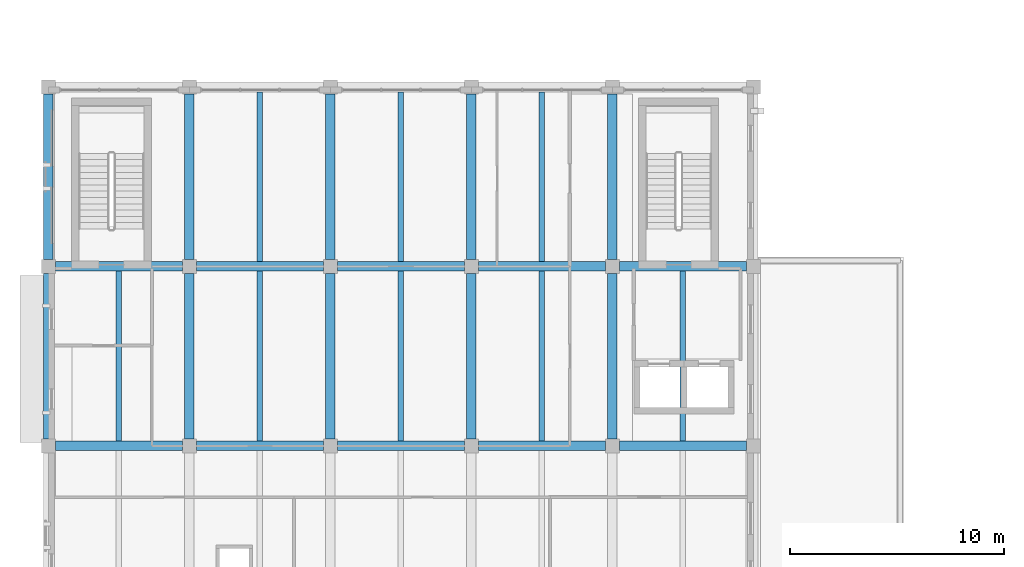
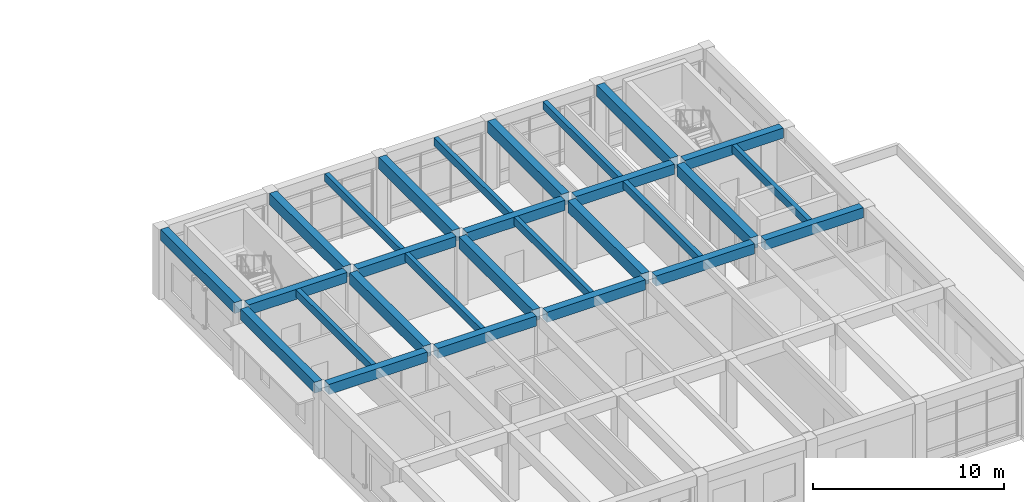
# One storey, part 4 of 50: 28 beams.
"""IFC4 building model written with IfcOpenShell, lengths in metres."""

import ifcopenshell
import ifcopenshell.guid

model = None  # the IFC model being written
_history = None  # IfcOwnerHistory: only IFC2X3 demands one
_inside = {}  # id of a spatial element -> (the spatial element, [elements in it])
_under = {}  # id of a project, library or spatial element -> (it, [spatial elements below it])
_declared = {}  # id of a project -> (the project, [libraries it declares])
_typed = {}  # id of a type object -> (the type object, [elements of that type])
_made_of = {}  # id of a material, layer set ... -> (it, [elements and type objects made of it])


def new_model(schema):
    """Start an empty IFC model of exactly this schema.

    Asked for "IFC4X3", IfcOpenShell would pick the latest addendum, in which some entities
    have other attributes; the version numbers below select the first issue.
    IFC2X3 requires an IfcOwnerHistory on every rooted entity: one is made here for all.
    """
    global model, _history
    if schema == "IFC4X3":
        model = ifcopenshell.file(schema_version=(4, 3, 0, 0))
    else:
        model = ifcopenshell.file(schema=schema)
    _inside.clear()
    _under.clear()
    _declared.clear()
    _typed.clear()
    _made_of.clear()
    _history = None
    if model.schema == "IFC2X3":
        org = make("IfcOrganization", Name="unknown")
        user = make(
            "IfcPersonAndOrganization",
            ThePerson=make("IfcPerson", FamilyName="unknown"),
            TheOrganization=org,
        )
        app = make(
            "IfcApplication",
            ApplicationDeveloper=org,
            Version="unknown",
            ApplicationFullName="unknown",
            ApplicationIdentifier="unknown",
        )
        _history = make(
            "IfcOwnerHistory",
            OwningUser=user,
            OwningApplication=app,
            ChangeAction="ADDED",
            CreationDate=0,
        )
    return model


def make(cls, **values):
    """One entity of the class cls with the attributes given. An attribute that is None is left unset."""
    return model.create_entity(
        cls, **{name: value for name, value in values.items() if value is not None}
    )


def rooted(cls, **values):
    """An entity with a GlobalId (a new one), such as an element, a storey or a relation."""
    return make(cls, GlobalId=ifcopenshell.guid.new(), OwnerHistory=_history, **values)


def si_unit(unit_type, name, prefix=None):
    """IfcSIUnit, for example si_unit("LENGTHUNIT", "METRE", prefix="MILLI")."""
    return make("IfcSIUnit", UnitType=unit_type, Prefix=prefix, Name=name)


def assignment(units):
    """IfcUnitAssignment: the units of a project."""
    return None if units is None else make("IfcUnitAssignment", Units=units)


def point(xyz):
    """IfcCartesianPoint."""
    return None if xyz is None else make("IfcCartesianPoint", Coordinates=xyz)


def direction(xyz):
    """IfcDirection."""
    return None if xyz is None else make("IfcDirection", DirectionRatios=xyz)


def frame(location, z_axis=None, x_axis=None):
    """IfcAxis2Placement3D, a coordinate frame: its origin and axes. An axis left out is left unset."""
    return make(
        "IfcAxis2Placement3D",
        Location=point(location),
        Axis=direction(z_axis),
        RefDirection=direction(x_axis),
    )


def frame_2d(location, x_axis=None):
    """IfcAxis2Placement2D, a coordinate frame in the plane: its origin and x axis."""
    return make(
        "IfcAxis2Placement2D", Location=point(location), RefDirection=direction(x_axis)
    )


def origin():
    """The frame at (0, 0, 0) with its axes left unset."""
    return frame((0.0, 0.0, 0.0))


def origin_2d():
    """The frame at (0, 0) in the plane with its x axis left unset."""
    return frame_2d((0.0, 0.0))


def place(relative_to, where):
    """IfcLocalPlacement: puts the frame where relative to a parent placement (None: the world)."""
    return make(
        "IfcLocalPlacement", PlacementRelTo=relative_to, RelativePlacement=where
    )


def context(
    kind, dimensions, precision=None, world=None, true_north=None, identifier=None
):
    """IfcGeometricRepresentationContext, for example the 3D "Model" context."""
    return make(
        "IfcGeometricRepresentationContext",
        ContextIdentifier=identifier,
        ContextType=kind,
        CoordinateSpaceDimension=dimensions,
        Precision=precision,
        WorldCoordinateSystem=world,
        TrueNorth=true_north,
    )


def subcontext(parent, identifier, kind, view, scale=None):
    """IfcGeometricRepresentationSubContext, for example "Body" below "Model"."""
    return make(
        "IfcGeometricRepresentationSubContext",
        ContextIdentifier=identifier,
        ContextType=kind,
        ParentContext=parent,
        TargetScale=scale,
        TargetView=view,
    )


def project(units=None, contexts=None):
    """IfcProject with its units and contexts."""
    return rooted(
        "IfcProject",
        Name="project",
        RepresentationContexts=contexts,
        UnitsInContext=assignment(units),
    )


def spatial(cls, under=None, at=None, **own):
    """A site, building, storey or space (cls), placed at a placement, below another one or the project."""
    s = rooted(cls, ObjectPlacement=at, **own)
    if under is not None:
        _under.setdefault(under.id(), (under, []))[1].append(s)
    return s


def profile(cls, at=None, kind="AREA", **sizes):
    """A parametric profile (cls). Its sizes go by their IFC names, for example OverallWidth=200.0."""
    return make(cls, ProfileType=kind, Position=at, **sizes)


def rectangle(**sizes):
    """IfcRectangleProfileDef."""
    return profile("IfcRectangleProfileDef", **sizes)


def extrude(swept, where, along, depth):
    """IfcExtrudedAreaSolid: the profile swept, set in the frame where, extruded along a direction by depth."""
    return make(
        "IfcExtrudedAreaSolid",
        SweptArea=swept,
        Position=where,
        ExtrudedDirection=direction(along),
        Depth=depth,
    )


def shape(context_of_items, identifier, shape_type, items):
    """IfcShapeRepresentation: the items that make up one representation, for example the "Body"."""
    return make(
        "IfcShapeRepresentation",
        ContextOfItems=context_of_items,
        RepresentationIdentifier=identifier,
        RepresentationType=shape_type,
        Items=items,
    )


def material(Name=None, Category=None):
    """IfcMaterial."""
    return make("IfcMaterial", Name=Name, Category=Category)


def material_profile(
    of_material, cross_section, Name=None, Category=None, Priority=None
):
    """IfcMaterialProfile: a cross section and its material."""
    return make(
        "IfcMaterialProfile",
        Name=Name,
        Material=of_material,
        Profile=cross_section,
        Priority=Priority,
        Category=Category,
    )


def profile_set(profiles, Name=None, composite=None):
    """IfcMaterialProfileSet."""
    return make(
        "IfcMaterialProfileSet",
        Name=Name,
        MaterialProfiles=profiles,
        CompositeProfile=composite,
    )


def made_of(thing, what):
    """Note that an element or type object is made of a material, layer set ...; save() writes the relation."""
    if what is not None:
        _made_of.setdefault(what.id(), (what, []))[1].append(thing)
    return thing


def type_object(cls, material=None, **own):
    """A type object (cls), such as IfcWallType, which elements share."""
    return made_of(rooted(cls, **own), material)


def element(
    cls,
    number,
    at=None,
    inside=None,
    cuts=None,
    type_object=None,
    material=None,
    context=None,
    identifier="Body",
    shape_type=None,
    held_by="IfcProductDefinitionShape",
    body=None,
    shapes=None,
    **own,
):
    """One element of the class cls, such as IfcWall. Its Tag is "e" and its number.

    at: its placement. inside: the storey or other place that contains it. cuts: it is an
    opening in that element (IfcRelVoidsElement). A single representation is given by context,
    identifier, shape_type and body (its items); several are given by shapes. held_by: the class
    of the entity that holds the representations. save() writes the other relations.
    """
    e = rooted(cls, Tag="e%d" % number, ObjectPlacement=at, **own)
    if body is not None:
        shapes = [shape(context, identifier, shape_type, body)]
    if shapes is not None:
        e.Representation = make(held_by, Representations=shapes)
    if inside is not None:
        _inside.setdefault(inside.id(), (inside, []))[1].append(e)
    if cuts is not None:
        rooted(
            "IfcRelVoidsElement", RelatingBuildingElement=cuts, RelatedOpeningElement=e
        )
    if type_object is not None:
        _typed.setdefault(type_object.id(), (type_object, []))[1].append(e)
    return made_of(e, material)


def aggregate(whole, parts):
    """IfcRelAggregates: a whole, such as a stair, and the parts it consists of."""
    return rooted("IfcRelAggregates", RelatingObject=whole, RelatedObjects=parts)


def save(model, path):
    """Write the relations noted so far, then the file.

    IfcRelAggregates (storeys below a building ...), IfcRelContainedInSpatialStructure (elements
    in a storey), IfcRelDefinesByType, IfcRelAssociatesMaterial and IfcRelDeclares: one each for
    every whole, place, type object, material and project.
    """
    for whole, parts in _under.values():
        aggregate(whole, parts)
    for where, things in _inside.values():
        rooted(
            "IfcRelContainedInSpatialStructure",
            RelatedElements=things,
            RelatingStructure=where,
        )
    for kind, things in _typed.values():
        rooted("IfcRelDefinesByType", RelatedObjects=things, RelatingType=kind)
    for what, things in _made_of.values():
        rooted("IfcRelAssociatesMaterial", RelatedObjects=things, RelatingMaterial=what)
    for by, libraries in _declared.values():
        rooted("IfcRelDeclares", RelatingContext=by, RelatedDefinitions=libraries)
    model.write(path)


model = new_model("IFC4")

# Units and contexts
model_context = context("Model", 3, precision=1e-05, world=origin(), true_north=direction((0.0, 1.0)))
body_context = subcontext(model_context, "Body", "Model", "MODEL_VIEW")
ifc_project = project(units=[si_unit("LENGTHUNIT", "METRE"), si_unit("AREAUNIT", "SQUARE_METRE"), si_unit("VOLUMEUNIT", "CUBIC_METRE"), si_unit("PLANEANGLEUNIT", "RADIAN"), si_unit("MASSUNIT", "GRAM", prefix="KILO")], contexts=[model_context])

# Site, building, storey
site_placement = place(None, origin())
site = spatial("IfcSite", under=ifc_project, at=site_placement, CompositionType="ELEMENT")
building_placement = place(site_placement, origin())
building = spatial("IfcBuilding", under=site, at=building_placement, Name="Kolvaren Faculty of Natural Sciences", CompositionType="ELEMENT")
storey_placement = place(building_placement, frame((0.0, 0.0, 15.0)))
storey = spatial("IfcBuildingStorey", under=building, at=storey_placement, Name="L03", CompositionType="ELEMENT", Elevation=15.0)

# Beams
ifc_material = material(Name="Concrete C35/45", Category="concrete")
ifc_material_profile_1 = material_profile(ifc_material, rectangle(XDim=0.449951171875, YDim=0.64990234375, at=origin_2d()), Name="RC BM 450x650")
ifc_profile_set_1 = profile_set([ifc_material_profile_1], Name="Concrete C35/45")
beam_type_1 = type_object("IfcBeamType", Name="GridBeam_450x650", PredefinedType="BEAM", material=ifc_profile_set_1)
for number, where, z_axis, x_axis, name in (
    (1, (7.125, 25.39990234375, 4.175048828125), (1.0, 0.0, 0.0), (0.0, 1.0, 0.0), "L03 beam BM-65 on grid D"),
    (2, (13.72509765625, 25.39990234375, 4.175048828125), (1.0, 0.0, 0.0), (0.0, 1.0, 0.0), "L03 beam BM-65 on grid D"),
    (3, (20.324951171875, 25.39990234375, 4.175048828125), (1.0, 0.0, 0.0), (0.0, 1.0, 0.0), "L03 beam BM-65 on grid D"),
    (4, (26.925048828125, 25.39990234375, 4.175048828125), (1.0, 0.0, 0.0), (0.0, 1.0, 0.0), "L03 beam BM-65 on grid D"),
):
    element("IfcBeam", number, at=place(storey_placement, frame(where, z_axis=z_axis, x_axis=x_axis)), inside=storey, type_object=beam_type_1, Name=name, PredefinedType="BEAM", context=body_context, shape_type="SweptSolid", body=[
        extrude(rectangle(XDim=0.449951171875, YDim=0.64990234375, at=origin_2d()), origin(), (0.0, 0.0, 1.0), 5.949951171875),
    ])
beam_1_placement = place(storey_placement, frame((33.52490234375, 25.39990234375, 4.175048828125), z_axis=(1.0, 0.0, 0.0), x_axis=(0.0, 1.0, 0.0)))
element("IfcBeam", 5, at=beam_1_placement, inside=storey, type_object=beam_type_1, Name="L03 beam BM-65 on grid D", PredefinedType="BEAM", context=body_context, shape_type="SweptSolid", body=[
    extrude(rectangle(XDim=0.449951171875, YDim=0.64990234375, at=origin_2d()), origin(), (0.0, 0.0, 1.0), 5.9501953125),
])
for number, where, z_axis, x_axis, name in (
    (6, (7.125, 33.800048828125, 4.175048828125), (1.0, 0.0, 0.0), (0.0, 1.0, 0.0), "L03 beam BM-65 on grid E"),
    (7, (13.72509765625, 33.800048828125, 4.175048828125), (1.0, 0.0, 0.0), (0.0, 1.0, 0.0), "L03 beam BM-65 on grid E"),
    (8, (20.324951171875, 33.800048828125, 4.175048828125), (1.0, 0.0, 0.0), (0.0, 1.0, 0.0), "L03 beam BM-65 on grid E"),
    (9, (26.925048828125, 33.800048828125, 4.175048828125), (1.0, 0.0, 0.0), (0.0, 1.0, 0.0), "L03 beam BM-65 on grid E"),
):
    element("IfcBeam", number, at=place(storey_placement, frame(where, z_axis=z_axis, x_axis=x_axis)), inside=storey, type_object=beam_type_1, Name=name, PredefinedType="BEAM", context=body_context, shape_type="SweptSolid", body=[
        extrude(rectangle(XDim=0.449951171875, YDim=0.64990234375, at=origin_2d()), origin(), (0.0, 0.0, 1.0), 5.949951171875),
    ])
beam_2_placement = place(storey_placement, frame((33.52490234375, 33.800048828125, 4.175048828125), z_axis=(1.0, 0.0, 0.0), x_axis=(0.0, 1.0, 0.0)))
element("IfcBeam", 10, at=beam_2_placement, inside=storey, type_object=beam_type_1, Name="L03 beam BM-65 on grid E", PredefinedType="BEAM", context=body_context, shape_type="SweptSolid", body=[
    extrude(rectangle(XDim=0.449951171875, YDim=0.64990234375, at=origin_2d()), origin(), (0.0, 0.0, 1.0), 5.9501953125),
])
ifc_material_profile_2 = material_profile(ifc_material, rectangle(XDim=0.260009765625, YDim=0.5, at=origin_2d()), Name="RC JST 260x500")
ifc_profile_set_2 = profile_set([ifc_material_profile_2], Name="Concrete C35/45")
beam_type_2 = type_object("IfcBeamType", Name="LabRibJoist_260x500", PredefinedType="JOIST", material=ifc_profile_set_2)
for number, where, z_axis, x_axis, name in (
    (11, (10.10009765625, 25.625, 4.25), (0.0, 1.0, 0.0), (-1.0, 0.0, 0.0), "L03 ribbed laboratory slab joist JS-50"),
    (12, (16.699951171875, 25.625, 4.25), (0.0, 1.0, 0.0), (-1.0, 0.0, 0.0), "L03 ribbed laboratory slab joist JS-50"),
):
    element("IfcBeam", number, at=place(storey_placement, frame(where, z_axis=z_axis, x_axis=x_axis)), inside=storey, type_object=beam_type_2, Name=name, PredefinedType="JOIST", context=body_context, shape_type="SweptSolid", body=[
        extrude(rectangle(XDim=0.260009765625, YDim=0.5, at=origin_2d()), origin(), (0.0, 0.0, 1.0), 7.949951171875),
    ])
beam_3_placement = place(storey_placement, frame((16.699951171875, 34.02490234375, 4.25), z_axis=(0.0, 1.0, 0.0), x_axis=(-1.0, 0.0, 0.0)))
element("IfcBeam", 13, at=beam_3_placement, inside=storey, type_object=beam_type_2, Name="L03 ribbed laboratory slab joist JS-50", PredefinedType="JOIST", context=body_context, shape_type="SweptSolid", body=[
    extrude(rectangle(XDim=0.260009765625, YDim=0.5, at=origin_2d()), origin(), (0.0, 0.0, 1.0), 7.9501953125),
])
beam_4_placement = place(storey_placement, frame((23.300048828125, 25.625, 4.25), z_axis=(0.0, 1.0, 0.0), x_axis=(-1.0, 0.0, 0.0)))
element("IfcBeam", 14, at=beam_4_placement, inside=storey, type_object=beam_type_2, Name="L03 ribbed laboratory slab joist JS-50", PredefinedType="JOIST", context=body_context, shape_type="SweptSolid", body=[
    extrude(rectangle(XDim=0.260009765625, YDim=0.5, at=origin_2d()), origin(), (0.0, 0.0, 1.0), 7.949951171875),
])
beam_5_placement = place(storey_placement, frame((23.300048828125, 34.02490234375, 4.25), z_axis=(0.0, 1.0, 0.0), x_axis=(-1.0, 0.0, 0.0)))
element("IfcBeam", 15, at=beam_5_placement, inside=storey, type_object=beam_type_2, Name="L03 ribbed laboratory slab joist JS-50", PredefinedType="JOIST", context=body_context, shape_type="SweptSolid", body=[
    extrude(rectangle(XDim=0.260009765625, YDim=0.5, at=origin_2d()), origin(), (0.0, 0.0, 1.0), 7.9501953125),
])
beam_6_placement = place(storey_placement, frame((29.89990234375, 25.625, 4.25), z_axis=(0.0, 1.0, 0.0), x_axis=(-1.0, 0.0, 0.0)))
element("IfcBeam", 16, at=beam_6_placement, inside=storey, type_object=beam_type_2, Name="L03 ribbed laboratory slab joist JS-50", PredefinedType="JOIST", context=body_context, shape_type="SweptSolid", body=[
    extrude(rectangle(XDim=0.260009765625, YDim=0.5, at=origin_2d()), origin(), (0.0, 0.0, 1.0), 7.949951171875),
])
beam_7_placement = place(storey_placement, frame((29.89990234375, 34.02490234375, 4.25), z_axis=(0.0, 1.0, 0.0), x_axis=(-1.0, 0.0, 0.0)))
element("IfcBeam", 17, at=beam_7_placement, inside=storey, type_object=beam_type_2, Name="L03 ribbed laboratory slab joist JS-50", PredefinedType="JOIST", context=body_context, shape_type="SweptSolid", body=[
    extrude(rectangle(XDim=0.260009765625, YDim=0.5, at=origin_2d()), origin(), (0.0, 0.0, 1.0), 7.9501953125),
])
beam_8_placement = place(storey_placement, frame((36.5, 25.625, 4.25), z_axis=(0.0, 1.0, 0.0), x_axis=(-1.0, 0.0, 0.0)))
element("IfcBeam", 18, at=beam_8_placement, inside=storey, type_object=beam_type_2, Name="L03 ribbed laboratory slab joist JS-50", PredefinedType="JOIST", context=body_context, shape_type="SweptSolid", body=[
    extrude(rectangle(XDim=0.260009765625, YDim=0.5, at=origin_2d()), origin(), (0.0, 0.0, 1.0), 7.949951171875),
])
ifc_material_profile_3 = material_profile(ifc_material, rectangle(XDim=0.449951171875, YDim=0.699951171875, at=origin_2d()), Name="RC SP 450x700")
ifc_profile_set_3 = profile_set([ifc_material_profile_3], Name="Concrete C35/45")
beam_type_3 = type_object("IfcBeamType", Name="PerimeterSpandrel_450x700", PredefinedType="SPANDREL", material=ifc_profile_set_3)
for number, where, z_axis, x_axis, name in (
    (19, (6.800048828125, 25.72509765625, 4.14990234375), (0.0, 1.0, 0.0), (-1.0, 0.0, 0.0), "L03 girder SP-70 on grid 2"),
    (20, (6.800048828125, 34.125, 4.14990234375), (0.0, 1.0, 0.0), (-1.0, 0.0, 0.0), "L03 girder SP-70 on grid 2"),
):
    element("IfcBeam", number, at=place(storey_placement, frame(where, z_axis=z_axis, x_axis=x_axis)), inside=storey, type_object=beam_type_3, Name=name, PredefinedType="SPANDREL", context=body_context, shape_type="SweptSolid", body=[
        extrude(rectangle(XDim=0.449951171875, YDim=0.699951171875, at=origin_2d()), origin(), (0.0, 0.0, 1.0), 7.75),
    ])
ifc_material_profile_4 = material_profile(ifc_material, rectangle(XDim=0.449951171875, YDim=0.75, at=origin_2d()), Name="RC BM 450x750")
ifc_profile_set_4 = profile_set([ifc_material_profile_4], Name="Concrete C35/45")
beam_type_4 = type_object("IfcBeamType", Name="PrimaryGirder_450x750", PredefinedType="BEAM", material=ifc_profile_set_4)
for number, where, z_axis, x_axis, name in (
    (21, (13.39990234375, 25.72509765625, 4.125), (0.0, 1.0, 0.0), (-1.0, 0.0, 0.0), "L03 girder BG-75 on grid 3"),
    (22, (13.39990234375, 34.125, 4.125), (0.0, 1.0, 0.0), (-1.0, 0.0, 0.0), "L03 girder BG-75 on grid 3"),
    (23, (20.0, 25.72509765625, 4.125), (0.0, 1.0, 0.0), (-1.0, 0.0, 0.0), "L03 girder BG-75 on grid 4"),
    (24, (20.0, 34.125, 4.125), (0.0, 1.0, 0.0), (-1.0, 0.0, 0.0), "L03 girder BG-75 on grid 4"),
    (25, (26.60009765625, 25.72509765625, 4.125), (0.0, 1.0, 0.0), (-1.0, 0.0, 0.0), "L03 girder BG-75 on grid 5"),
    (26, (26.60009765625, 34.125, 4.125), (0.0, 1.0, 0.0), (-1.0, 0.0, 0.0), "L03 girder BG-75 on grid 5"),
    (27, (33.199951171875, 25.72509765625, 4.125), (0.0, 1.0, 0.0), (-1.0, 0.0, 0.0), "L03 girder BG-75 on grid 6"),
    (28, (33.199951171875, 34.125, 4.125), (0.0, 1.0, 0.0), (-1.0, 0.0, 0.0), "L03 girder BG-75 on grid 6"),
):
    element("IfcBeam", number, at=place(storey_placement, frame(where, z_axis=z_axis, x_axis=x_axis)), inside=storey, type_object=beam_type_4, Name=name, PredefinedType="BEAM", context=body_context, shape_type="SweptSolid", body=[
        extrude(rectangle(XDim=0.449951171875, YDim=0.75, at=origin_2d()), origin(), (0.0, 0.0, 1.0), 7.75),
    ])

save(model, "model.ifc")
